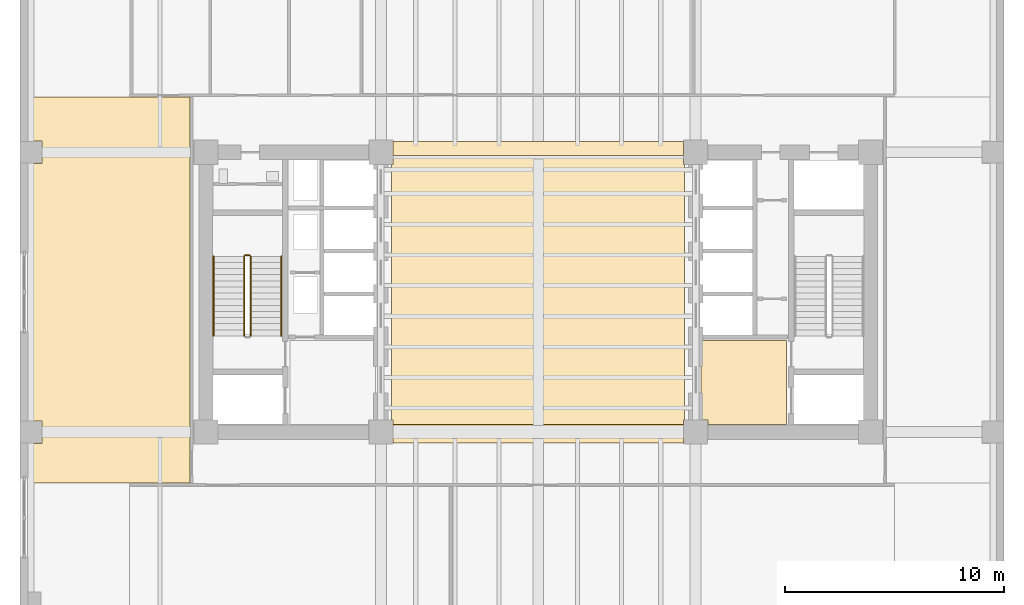
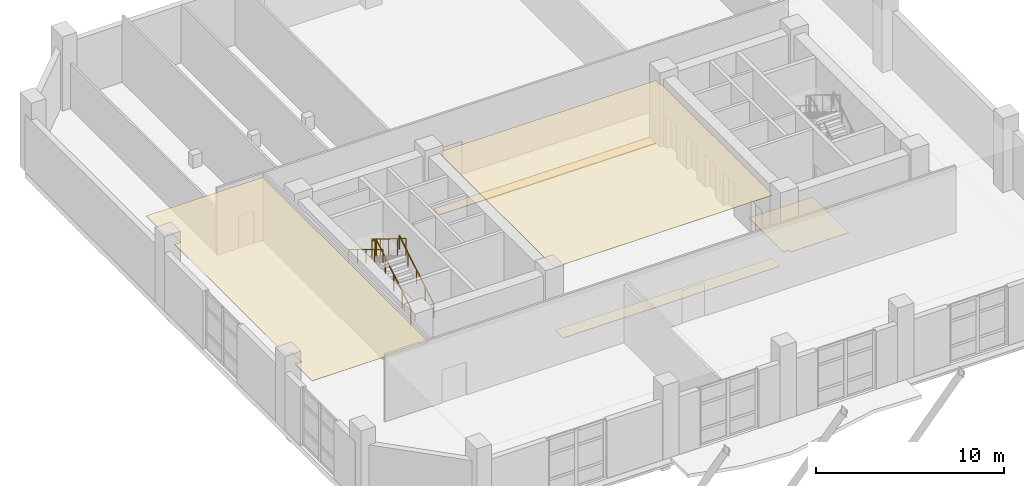
# One storey, part 13 of 16: 5 coverings, 5 railings.
"""IFC4 building model written with IfcOpenShell, lengths in metres."""

from ifc_helpers import new_model, si_unit, direction, frame, origin, origin_2d, place, context, subcontext, project, spatial, polyline, circle, outline, extrude, material, layer, layer_set, type_object, element, save


model = new_model("IFC4")

# Units and contexts
model_context = context("Model", 3, precision=1e-05, world=origin(), true_north=direction((0.0, 1.0)))
body_context = subcontext(model_context, "Body", "Model", "MODEL_VIEW")
ifc_project = project(units=[si_unit("LENGTHUNIT", "METRE"), si_unit("AREAUNIT", "SQUARE_METRE"), si_unit("VOLUMEUNIT", "CUBIC_METRE"), si_unit("PLANEANGLEUNIT", "RADIAN"), si_unit("MASSUNIT", "GRAM", prefix="KILO")], contexts=[model_context])

# Site, building, storey
site_placement = place(None, origin())
site = spatial("IfcSite", under=ifc_project, at=site_placement, CompositionType="ELEMENT")
building_placement = place(site_placement, origin())
building = spatial("IfcBuilding", under=site, at=building_placement, Name="Kranthara Brick Stack", CompositionType="ELEMENT")
storey_placement = place(building_placement, frame((0.0, 0.0, 115.5)))
storey = spatial("IfcBuildingStorey", under=building, at=storey_placement, Name="L28", CompositionType="ELEMENT", Elevation=115.5)

# Coverings
ifc_material_1 = material(Name="Perforated mineral-fibre acoustic ceiling tile", Category="other")
ifc_layer_1 = layer(ifc_material_1, 0.02490234375)
ifc_layer_set_1 = layer_set([ifc_layer_1], Name="Perforated mineral-fibre acoustic ceiling tile")
covering_type_1 = type_object("IfcCoveringType", Name="COV-CEIL-ACOUSTIC", PredefinedType="CEILING", material=ifc_layer_set_1)
covering_1_placement = place(storey_placement, frame((0.0, 0.0, 4.080078125)))
element("IfcCovering", 1, at=covering_1_placement, inside=storey, type_object=covering_type_1, Name="L28 L28 Hotel Transfer Sky Lobby Acoustic Ceiling", PredefinedType="CEILING", context=body_context, shape_type="SweptSolid", body=[
    extrude(outline(polyline([(34.639892578125, 21.360107421875), (34.639892578125, 21.14990234375), (21.360107421875, 21.14990234375), (21.360107421875, 21.360107421875), (21.300048828125, 21.360107421875), (21.300048828125, 33.0400390625), (21.360107421875, 33.0400390625), (21.360107421875, 33.449951171875), (34.639892578125, 33.449951171875), (34.639892578125, 33.0400390625), (34.699951171875, 33.0400390625), (34.699951171875, 21.360107421875), (34.639892578125, 21.360107421875)])), origin(), (0.0, 0.0, 1.0), 0.02490234375),
])
covering_2_placement = place(storey_placement, frame((0.0, 0.0, 4.080078125)))
element("IfcCovering", 2, at=covering_2_placement, inside=storey, type_object=covering_type_1, Name="L28 L28 West Reception Concierge Acoustic Ceiling", PredefinedType="CEILING", context=body_context, shape_type="SweptSolid", body=[
    extrude(outline(polyline([(12.080078125, 36.1201171875), (12.080078125, 18.47998046875), (4.919921875, 18.47998046875), (4.919921875, 20.2900390625), (5.31005859375, 20.2900390625), (5.31005859375, 21.31005859375), (4.919921875, 21.31005859375), (4.919921875, 33.090087890625), (5.31005859375, 33.090087890625), (5.31005859375, 34.110107421875), (4.919921875, 34.110107421875), (4.919921875, 36.1201171875), (12.080078125, 36.1201171875)])), origin(), (0.0, 0.0, 1.0), 0.02490234375),
])
ifc_material_2 = material(Name="Honed terrazzo and porcelain floor finish", Category="stone")
ifc_layer_2 = layer(ifc_material_2, 0.030029296875)
ifc_layer_set_2 = layer_set([ifc_layer_2], Name="Honed terrazzo and porcelain floor finish")
covering_type_2 = type_object("IfcCoveringType", Name="COV-FLOR-STONE", PredefinedType="FLOORING", material=ifc_layer_set_2)
covering_3_placement = place(storey_placement, origin())
element("IfcCovering", 3, at=covering_3_placement, inside=storey, type_object=covering_type_2, Name="L28 Lift Lobby Stone Flooring", PredefinedType="FLOORING", context=body_context, shape_type="SweptSolid", body=[
    extrude(outline(polyline([(35.449951171875, 25.0), (39.35009765625, 25.0), (39.35009765625, 21.14990234375), (35.760009765625, 21.14990234375), (35.760009765625, 21.360107421875), (35.449951171875, 21.360107421875), (35.449951171875, 25.0)])), origin(), (0.0, 0.0, 1.0), 0.030029296875),
])
covering_4_placement = place(storey_placement, origin())
element("IfcCovering", 4, at=covering_4_placement, inside=storey, type_object=covering_type_2, Name="L28 Lift Lobby Stone Flooring", PredefinedType="FLOORING", context=body_context, shape_type="SweptSolid", body=[
    extrude(outline(polyline([(21.360107421875, 21.14990234375), (34.639892578125, 21.14990234375), (34.639892578125, 20.300048828125), (21.360107421875, 20.300048828125), (21.360107421875, 21.14990234375)])), origin(), (0.0, 0.0, 1.0), 0.030029296875),
])
covering_5_placement = place(storey_placement, origin())
element("IfcCovering", 5, at=covering_5_placement, inside=storey, type_object=covering_type_2, Name="L28 Lift Lobby Stone Flooring", PredefinedType="FLOORING", context=body_context, shape_type="SweptSolid", body=[
    extrude(outline(polyline([(21.360107421875, 34.10009765625), (34.639892578125, 34.10009765625), (34.639892578125, 33.449951171875), (21.360107421875, 33.449951171875), (21.360107421875, 34.10009765625)])), origin(), (0.0, 0.0, 1.0), 0.030029296875),
])

# Railings
ifc_material_3 = material(Name="Painted galvanized steel stair guardrail", Category="steel")
railing_type_1 = type_object("IfcRailingType", Name="RL-STAIR-GUARD-1100", PredefinedType="GUARDRAIL", material=ifc_material_3)
railing_1_placement = place(storey_placement, frame((14.85009765625, 25.199951171875, 0.17138671875)))
element("IfcRailing", 6, at=railing_1_placement, inside=storey, type_object=railing_type_1, Name="L28 ST01 stair guard 1", PredefinedType="GUARDRAIL", context=body_context, shape_type="SweptSolid", body=[
    extrude(circle(Radius=0.02392578125, at=origin_2d()), frame((0.0, 0.0, 1.076171875), z_axis=(0.0, 0.852865859571, 0.52213008492), x_axis=(-1.0, 0.0, 0.0)), (0.0, 0.0, 1.0), 4.26806640625),
    extrude(circle(Radius=0.02099609375, at=origin_2d()), origin(), (0.0, 0.0, 1.0), 1.052001953125),
    extrude(circle(Radius=0.02099609375, at=origin_2d()), frame((0.0, 0.91015625, 0.55712890625)), (0.0, 0.0, 1.0), 1.052001953125),
    extrude(circle(Radius=0.02099609375, at=origin_2d()), frame((0.0, 1.820068359375, 1.1142578125)), (0.0, 0.0, 1.0), 1.052001953125),
    extrude(circle(Radius=0.02099609375, at=origin_2d()), frame((0.0, 2.72998046875, 1.67138671875)), (0.0, 0.0, 1.0), 1.052001953125),
    extrude(circle(Radius=0.02099609375, at=origin_2d()), frame((0.0, 3.64013671875, 2.228515625)), (0.0, 0.0, 1.0), 1.052001953125),
])
railing_2_placement = place(storey_placement, frame((14.800048828125, 28.889892578125, 2.39990234375)))
element("IfcRailing", 7, at=railing_2_placement, inside=storey, type_object=railing_type_1, Name="L28 ST01 stair guard 2", PredefinedType="GUARDRAIL", context=body_context, shape_type="SweptSolid", body=[
    extrude(circle(Radius=0.02392578125, at=origin_2d()), frame((0.0, 0.0, 1.076171875), z_axis=(-1.0, 0.0, 0.0), x_axis=(0.0, -1.0, 0.0)), (0.0, 0.0, 1.0), 0.199951171875),
    extrude(circle(Radius=0.02099609375, at=origin_2d()), origin(), (0.0, 0.0, 1.0), 1.052001953125),
    extrude(circle(Radius=0.02099609375, at=origin_2d()), frame((-0.199951171875, 0.0, 0.0)), (0.0, 0.0, 1.0), 1.052001953125),
])
railing_3_placement = place(storey_placement, frame((14.550048828125, 28.840087890625, 2.571533203125)))
element("IfcRailing", 8, at=railing_3_placement, inside=storey, type_object=railing_type_1, Name="L28 ST01 stair guard 3", PredefinedType="GUARDRAIL", context=body_context, shape_type="SweptSolid", body=[
    extrude(circle(Radius=0.02392578125, at=origin_2d()), frame((0.0, 0.0, 1.076171875), z_axis=(0.0, -0.852865859571, 0.52213008492), x_axis=(1.0, 0.0, 0.0)), (0.0, 0.0, 1.0), 4.26806640625),
    extrude(circle(Radius=0.02099609375, at=origin_2d()), origin(), (0.0, 0.0, 1.0), 1.052001953125),
    extrude(circle(Radius=0.02099609375, at=origin_2d()), frame((0.0, -0.91015625, 0.55712890625)), (0.0, 0.0, 1.0), 1.052001953125),
    extrude(circle(Radius=0.02099609375, at=origin_2d()), frame((0.0, -1.820068359375, 1.1142578125)), (0.0, 0.0, 1.0), 1.052001953125),
    extrude(circle(Radius=0.02099609375, at=origin_2d()), frame((0.0, -2.72998046875, 1.67138671875)), (0.0, 0.0, 1.0), 1.052001953125),
    extrude(circle(Radius=0.02099609375, at=origin_2d()), frame((0.0, -3.64013671875, 2.228515625)), (0.0, 0.0, 1.0), 1.052001953125),
])
ifc_material_4 = material(Name="Brushed stainless steel tubular handrail", Category="steel")
railing_type_2 = type_object("IfcRailingType", Name="RL-STAIR-HAND-900", PredefinedType="HANDRAIL", material=ifc_material_4)
railing_4_placement = place(storey_placement, frame((16.25, 25.199951171875, 0.17138671875)))
element("IfcRailing", 9, at=railing_4_placement, inside=storey, type_object=railing_type_2, Name="L28 ST01 stair handrail 1", PredefinedType="HANDRAIL", context=body_context, shape_type="SweptSolid", body=[
    extrude(circle(Radius=0.02392578125, at=origin_2d()), frame((0.0, 0.0, 0.8759765625), z_axis=(0.0, 0.852865859571, 0.52213008492), x_axis=(-1.0, 0.0, 0.0)), (0.0, 0.0, 1.0), 4.26806640625),
    extrude(circle(Radius=0.02099609375, at=origin_2d()), origin(), (0.0, 0.0, 1.0), 0.851806640625),
    extrude(circle(Radius=0.02099609375, at=origin_2d()), frame((0.0, 0.91015625, 0.55712890625)), (0.0, 0.0, 1.0), 0.851806640625),
    extrude(circle(Radius=0.02099609375, at=origin_2d()), frame((0.0, 1.820068359375, 1.1142578125)), (0.0, 0.0, 1.0), 0.851806640625),
    extrude(circle(Radius=0.02099609375, at=origin_2d()), frame((0.0, 2.72998046875, 1.67138671875)), (0.0, 0.0, 1.0), 0.851806640625),
    extrude(circle(Radius=0.02099609375, at=origin_2d()), frame((0.0, 3.64013671875, 2.228515625)), (0.0, 0.0, 1.0), 0.851806640625),
])
railing_5_placement = place(storey_placement, frame((13.14990234375, 28.840087890625, 2.571533203125)))
element("IfcRailing", 10, at=railing_5_placement, inside=storey, type_object=railing_type_2, Name="L28 ST01 stair handrail 2", PredefinedType="HANDRAIL", context=body_context, shape_type="SweptSolid", body=[
    extrude(circle(Radius=0.02392578125, at=origin_2d()), frame((0.0, 0.0, 0.8759765625), z_axis=(0.0, -0.852865859571, 0.52213008492), x_axis=(1.0, 0.0, 0.0)), (0.0, 0.0, 1.0), 4.26806640625),
    extrude(circle(Radius=0.02099609375, at=origin_2d()), origin(), (0.0, 0.0, 1.0), 0.851806640625),
    extrude(circle(Radius=0.02099609375, at=origin_2d()), frame((0.0, -0.91015625, 0.55712890625)), (0.0, 0.0, 1.0), 0.851806640625),
    extrude(circle(Radius=0.02099609375, at=origin_2d()), frame((0.0, -1.820068359375, 1.1142578125)), (0.0, 0.0, 1.0), 0.851806640625),
    extrude(circle(Radius=0.02099609375, at=origin_2d()), frame((0.0, -2.72998046875, 1.67138671875)), (0.0, 0.0, 1.0), 0.851806640625),
    extrude(circle(Radius=0.02099609375, at=origin_2d()), frame((0.0, -3.64013671875, 2.228515625)), (0.0, 0.0, 1.0), 0.851806640625),
])

save(model, "model.ifc")
